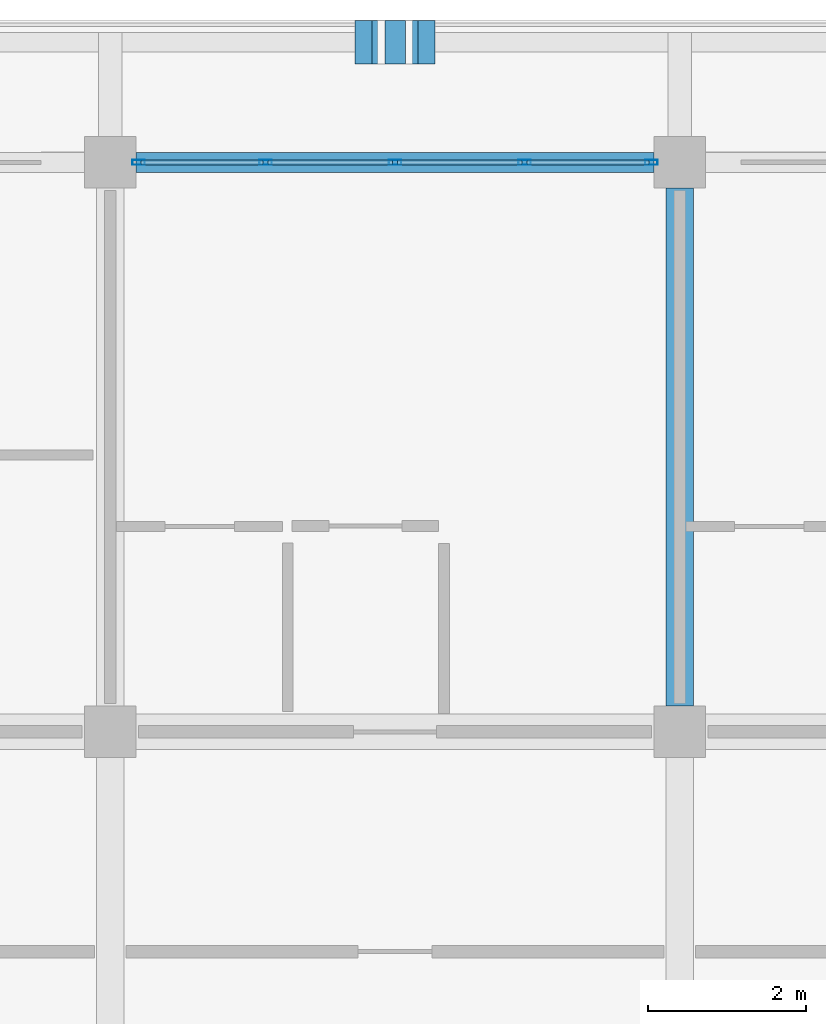
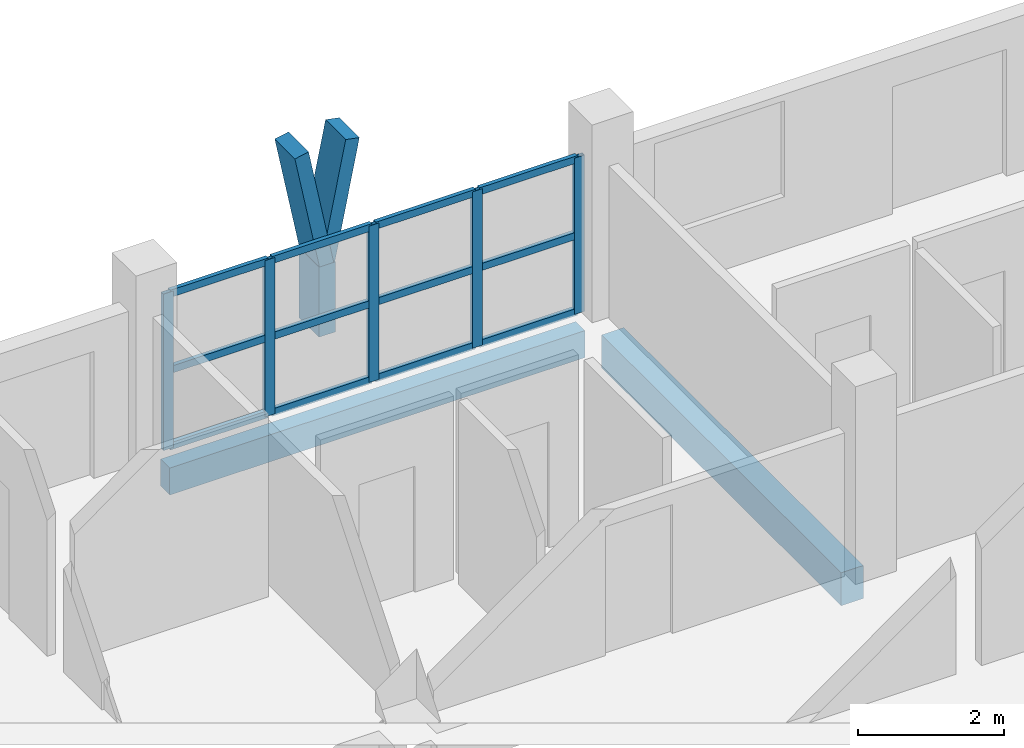
# One storey, part 20 of 75: 20 members, 2 beams, 1 element without a shape of its own.
"""IFC4 building model written with IfcOpenShell, lengths in metres."""

from ifc_helpers import new_model, si_unit, direction, frame, origin, origin_2d, place, context, subcontext, project, spatial, rectangle, hollow_rectangle, extrude, material, material_profile, profile_set, type_object, element, aggregate, save


model = new_model("IFC4")

# Units and contexts
model_context = context("Model", 3, precision=1e-05, world=origin(), true_north=direction((0.0, 1.0)))
body_context = subcontext(model_context, "Body", "Model", "MODEL_VIEW")
ifc_project = project(units=[si_unit("LENGTHUNIT", "METRE"), si_unit("AREAUNIT", "SQUARE_METRE"), si_unit("VOLUMEUNIT", "CUBIC_METRE"), si_unit("PLANEANGLEUNIT", "RADIAN"), si_unit("MASSUNIT", "GRAM", prefix="KILO")], contexts=[model_context])

# Site, building, storey
site_placement = place(None, origin())
site = spatial("IfcSite", under=ifc_project, at=site_placement, CompositionType="ELEMENT")
building_placement = place(site_placement, origin())
building = spatial("IfcBuilding", under=site, at=building_placement, Name="Suanplinth Sawtooth Commons", CompositionType="ELEMENT")
storey_placement = place(building_placement, frame((0.0, 0.0, 18.60009765625)))
storey = spatial("IfcBuildingStorey", under=building, at=storey_placement, Name="L05", CompositionType="ELEMENT", Elevation=18.60009765625)

# Beams
ifc_material_1 = material(Name="Precast concrete C40/50", Category="concrete")
ifc_material_profile_1 = material_profile(ifc_material_1, rectangle(XDim=0.35009765625, YDim=0.550048828125, at=origin_2d()), Name="PC-BM 350x550")
ifc_profile_set_1 = profile_set([ifc_material_profile_1], Name="Precast concrete C40/50")
beam_type_1 = type_object("IfcBeamType", Name="B-06", PredefinedType="BEAM", material=ifc_profile_set_1)
beam_1_placement = place(storey_placement, frame((86.39990234375, 115.52490234375, -0.525146484375), z_axis=(0.0, 1.0, 0.0), x_axis=(-1.0, 0.0, 0.0)))
element("IfcBeam", 1, at=beam_1_placement, inside=storey, type_object=beam_type_1, Name="BMY-L05-A-12-16", PredefinedType="BEAM", context=body_context, shape_type="SweptSolid", body=[
    extrude(rectangle(XDim=0.35009765625, YDim=0.550048828125, at=origin_2d()), origin(), (0.0, 0.0, 1.0), 6.550048828125),
])
ifc_material_profile_2 = material_profile(ifc_material_1, rectangle(XDim=0.25, YDim=0.449951171875, at=origin_2d()), Name="PC-SP 250x450")
ifc_profile_set_2 = profile_set([ifc_material_profile_2], Name="Precast concrete C40/50")
beam_type_2 = type_object("IfcBeamType", Name="B-09", PredefinedType="SPANDREL", material=ifc_profile_set_2)
beam_2_placement = place(storey_placement, frame((79.52490234375, 122.39990234375, -0.47509765625), z_axis=(1.0, 0.0, 0.0), x_axis=(0.0, 1.0, 0.0)))
element("IfcBeam", 2, at=beam_2_placement, inside=storey, type_object=beam_type_2, Name="BMX-L05-A-11-17", PredefinedType="SPANDREL", context=body_context, shape_type="SweptSolid", body=[
    extrude(rectangle(XDim=0.25, YDim=0.449951171875, at=origin_2d()), origin(), (0.0, 0.0, 1.0), 6.550048828125),
])

# Members
ifc_material_2 = material(Name="Pigmented precast concrete C40/50", Category="concrete")
ifc_material_profile_3 = material_profile(ifc_material_2, rectangle(XDim=0.260009765625, YDim=0.550048828125, at=origin_2d()), Name="PC-FIN 260x550")
ifc_profile_set_3 = profile_set([ifc_material_profile_3], Name="Pigmented precast concrete C40/50")
member_type_1 = type_object("IfcMemberType", Name="M-09", PredefinedType="USERDEFINED", material=ifc_profile_set_3)
member_1_placement = place(storey_placement, frame((82.800048828125, 123.919921875, 0.0), z_axis=(0.0, 0.0, 1.0), x_axis=(1.0, 0.0, 0.0)))
element("IfcMember", 3, at=member_1_placement, inside=storey, type_object=member_type_1, Name="Y-Blade Stem L05-A-N-04", ObjectType="SHADING FIN", PredefinedType="USERDEFINED", context=body_context, shape_type="SweptSolid", body=[
    extrude(rectangle(XDim=0.260009765625, YDim=0.550048828125, at=origin_2d()), origin(), (0.0, 0.0, 1.0), 1.169921875),
])
ifc_material_profile_4 = material_profile(ifc_material_2, rectangle(XDim=0.219970703125, YDim=0.550048828125, at=origin_2d()), Name="PC-FIN 220x550")
ifc_profile_set_4 = profile_set([ifc_material_profile_4], Name="Pigmented precast concrete C40/50")
member_type_2 = type_object("IfcMemberType", Name="M-10", PredefinedType="USERDEFINED", material=ifc_profile_set_4)
for number, where, z_axis, x_axis, name in (
    (4, (82.800048828125, 123.919921875, 1.1298828125), (-0.196530428008, 0.0, 0.98049772609), (0.98049772609, 0.0, 0.196530428008), "Y-Blade Arm L L05-A-N-04"),
    (5, (82.800048828125, 123.919921875, 1.1298828125), (0.196415357203, 0.0, 0.980520783795), (-0.980520783795, 0.0, 0.196415357203), "Y-Blade Arm R L05-A-N-04"),
):
    element("IfcMember", number, at=place(storey_placement, frame(where, z_axis=z_axis, x_axis=x_axis)), inside=storey, type_object=member_type_2, Name=name, ObjectType="SHADING FIN", PredefinedType="USERDEFINED", context=body_context, shape_type="SweptSolid", body=[
        extrude(rectangle(XDim=0.219970703125, YDim=0.550048828125, at=origin_2d()), origin(), (0.0, 0.0, 1.0), 2.039794921875),
    ])

# Curtain wall, members
ifc_material_3 = material(Name="Anodized aluminium and low-E glazing", Category="aluminium")
curtain_wall_type = type_object("IfcCurtainWallType", Name="CW-06", PredefinedType="USERDEFINED", material=ifc_material_3)
curtain_wall_placement = place(storey_placement, origin())
curtain_wall = element("IfcCurtainWall", 6, at=curtain_wall_placement, inside=storey, type_object=curtain_wall_type, Name="Curtain Wall CW-L05-A-LOUNGE-11", ObjectType="CURTAIN WALL", PredefinedType="USERDEFINED")
ifc_material_4 = material(Name="Anodized aluminium 6063-T6", Category="aluminium")
ifc_material_profile_5 = material_profile(ifc_material_4, hollow_rectangle(XDim=0.06494140625, YDim=0.159912109375, WallThickness=0.00390625, at=origin_2d()), Name="ALU-MUL 65x160")
ifc_profile_set_5 = profile_set([ifc_material_profile_5], Name="Anodized aluminium 6063-T6")
member_type_3 = type_object("IfcMemberType", Name="M-13", PredefinedType="MULLION", material=ifc_profile_set_5)
member_2_placement = place(storey_placement, frame((79.5576171875, 122.39990234375, 0.0), z_axis=(0.0, 0.0, 1.0), x_axis=(0.0, 1.0, 0.0)))
member_2 = element("IfcMember", 7, at=member_2_placement, type_object=member_type_3, Name="CW-06 mullion 1", PredefinedType="MULLION", context=body_context, shape_type="SweptSolid", body=[
    extrude(hollow_rectangle(XDim=0.06494140625, YDim=0.159912109375, WallThickness=0.00390625, at=origin_2d()), origin(), (0.0, 0.0, 1.0), 2.60986328125),
])
member_3_placement = place(storey_placement, frame((81.16259765625, 122.39990234375, 0.0), z_axis=(0.0, 0.0, 1.0), x_axis=(0.0, 1.0, 0.0)))
member_3 = element("IfcMember", 8, at=member_3_placement, type_object=member_type_3, Name="CW-06 mullion 2", PredefinedType="MULLION", context=body_context, shape_type="SweptSolid", body=[
    extrude(hollow_rectangle(XDim=0.06494140625, YDim=0.159912109375, WallThickness=0.00390625, at=origin_2d()), origin(), (0.0, 0.0, 1.0), 2.60986328125),
])
member_4_placement = place(storey_placement, frame((82.800048828125, 122.39990234375, 0.0), z_axis=(0.0, 0.0, 1.0), x_axis=(0.0, 1.0, 0.0)))
member_4 = element("IfcMember", 9, at=member_4_placement, type_object=member_type_3, Name="CW-06 mullion 3", PredefinedType="MULLION", context=body_context, shape_type="SweptSolid", body=[
    extrude(hollow_rectangle(XDim=0.06494140625, YDim=0.159912109375, WallThickness=0.00390625, at=origin_2d()), origin(), (0.0, 0.0, 1.0), 2.60986328125),
])
member_5_placement = place(storey_placement, frame((84.4375, 122.39990234375, 0.0), z_axis=(0.0, 0.0, 1.0), x_axis=(0.0, 1.0, 0.0)))
member_5 = element("IfcMember", 10, at=member_5_placement, type_object=member_type_3, Name="CW-06 mullion 4", PredefinedType="MULLION", context=body_context, shape_type="SweptSolid", body=[
    extrude(hollow_rectangle(XDim=0.06494140625, YDim=0.159912109375, WallThickness=0.00390625, at=origin_2d()), origin(), (0.0, 0.0, 1.0), 2.60986328125),
])
member_6_placement = place(storey_placement, frame((86.04248046875, 122.39990234375, 0.0), z_axis=(0.0, 0.0, 1.0), x_axis=(0.0, 1.0, 0.0)))
member_6 = element("IfcMember", 11, at=member_6_placement, type_object=member_type_3, Name="CW-06 mullion 5", PredefinedType="MULLION", context=body_context, shape_type="SweptSolid", body=[
    extrude(hollow_rectangle(XDim=0.06494140625, YDim=0.159912109375, WallThickness=0.00390625, at=origin_2d()), origin(), (0.0, 0.0, 1.0), 2.60986328125),
])
ifc_material_profile_6 = material_profile(ifc_material_4, hollow_rectangle(XDim=0.06494140625, YDim=0.1201171875, WallThickness=0.00390625, at=origin_2d()), Name="ALU-TRN 65x120")
ifc_profile_set_6 = profile_set([ifc_material_profile_6], Name="Anodized aluminium 6063-T6")
member_type_4 = type_object("IfcMemberType", Name="M-15", PredefinedType="USERDEFINED", material=ifc_profile_set_6)
member_7_placement = place(storey_placement, frame((79.590087890625, 122.39990234375, 0.032470703125), z_axis=(1.0, 0.0, 0.0), x_axis=(0.0, 1.0, 0.0)))
member_7 = element("IfcMember", 12, at=member_7_placement, type_object=member_type_4, Name="CW-06 transom 1.1", ObjectType="TRANSOM", PredefinedType="USERDEFINED", context=body_context, shape_type="SweptSolid", body=[
    extrude(hollow_rectangle(XDim=0.06494140625, YDim=0.1201171875, WallThickness=0.00390625, at=origin_2d()), origin(), (0.0, 0.0, 1.0), 1.539794921875),
])
member_8_placement = place(storey_placement, frame((79.590087890625, 122.39990234375, 1.304931640625), z_axis=(1.0, 0.0, 0.0), x_axis=(0.0, 1.0, 0.0)))
member_8 = element("IfcMember", 13, at=member_8_placement, type_object=member_type_4, Name="CW-06 transom 1.2", ObjectType="TRANSOM", PredefinedType="USERDEFINED", context=body_context, shape_type="SweptSolid", body=[
    extrude(hollow_rectangle(XDim=0.06494140625, YDim=0.1201171875, WallThickness=0.00390625, at=origin_2d()), origin(), (0.0, 0.0, 1.0), 1.539794921875),
])
member_9_placement = place(storey_placement, frame((79.590087890625, 122.39990234375, 2.577392578125), z_axis=(1.0, 0.0, 0.0), x_axis=(0.0, 1.0, 0.0)))
member_9 = element("IfcMember", 14, at=member_9_placement, type_object=member_type_4, Name="CW-06 transom 1.3", ObjectType="TRANSOM", PredefinedType="USERDEFINED", context=body_context, shape_type="SweptSolid", body=[
    extrude(hollow_rectangle(XDim=0.06494140625, YDim=0.1201171875, WallThickness=0.00390625, at=origin_2d()), origin(), (0.0, 0.0, 1.0), 1.539794921875),
])
member_10_placement = place(storey_placement, frame((81.195068359375, 122.39990234375, 0.032470703125), z_axis=(1.0, 0.0, 0.0), x_axis=(0.0, 1.0, 0.0)))
member_10 = element("IfcMember", 15, at=member_10_placement, type_object=member_type_4, Name="CW-06 transom 2.1", ObjectType="TRANSOM", PredefinedType="USERDEFINED", context=body_context, shape_type="SweptSolid", body=[
    extrude(hollow_rectangle(XDim=0.06494140625, YDim=0.1201171875, WallThickness=0.00390625, at=origin_2d()), origin(), (0.0, 0.0, 1.0), 1.572509765625),
])
member_11_placement = place(storey_placement, frame((81.195068359375, 122.39990234375, 1.304931640625), z_axis=(1.0, 0.0, 0.0), x_axis=(0.0, 1.0, 0.0)))
member_11 = element("IfcMember", 16, at=member_11_placement, type_object=member_type_4, Name="CW-06 transom 2.2", ObjectType="TRANSOM", PredefinedType="USERDEFINED", context=body_context, shape_type="SweptSolid", body=[
    extrude(hollow_rectangle(XDim=0.06494140625, YDim=0.1201171875, WallThickness=0.00390625, at=origin_2d()), origin(), (0.0, 0.0, 1.0), 1.572509765625),
])
member_12_placement = place(storey_placement, frame((81.195068359375, 122.39990234375, 2.577392578125), z_axis=(1.0, 0.0, 0.0), x_axis=(0.0, 1.0, 0.0)))
member_12 = element("IfcMember", 17, at=member_12_placement, type_object=member_type_4, Name="CW-06 transom 2.3", ObjectType="TRANSOM", PredefinedType="USERDEFINED", context=body_context, shape_type="SweptSolid", body=[
    extrude(hollow_rectangle(XDim=0.06494140625, YDim=0.1201171875, WallThickness=0.00390625, at=origin_2d()), origin(), (0.0, 0.0, 1.0), 1.572509765625),
])
member_13_placement = place(storey_placement, frame((82.83251953125, 122.39990234375, 0.032470703125), z_axis=(1.0, 0.0, 0.0), x_axis=(0.0, 1.0, 0.0)))
member_13 = element("IfcMember", 18, at=member_13_placement, type_object=member_type_4, Name="CW-06 transom 3.1", ObjectType="TRANSOM", PredefinedType="USERDEFINED", context=body_context, shape_type="SweptSolid", body=[
    extrude(hollow_rectangle(XDim=0.06494140625, YDim=0.1201171875, WallThickness=0.00390625, at=origin_2d()), origin(), (0.0, 0.0, 1.0), 1.572509765625),
])
member_14_placement = place(storey_placement, frame((82.83251953125, 122.39990234375, 1.304931640625), z_axis=(1.0, 0.0, 0.0), x_axis=(0.0, 1.0, 0.0)))
member_14 = element("IfcMember", 19, at=member_14_placement, type_object=member_type_4, Name="CW-06 transom 3.2", ObjectType="TRANSOM", PredefinedType="USERDEFINED", context=body_context, shape_type="SweptSolid", body=[
    extrude(hollow_rectangle(XDim=0.06494140625, YDim=0.1201171875, WallThickness=0.00390625, at=origin_2d()), origin(), (0.0, 0.0, 1.0), 1.572509765625),
])
member_15_placement = place(storey_placement, frame((82.83251953125, 122.39990234375, 2.577392578125), z_axis=(1.0, 0.0, 0.0), x_axis=(0.0, 1.0, 0.0)))
member_15 = element("IfcMember", 20, at=member_15_placement, type_object=member_type_4, Name="CW-06 transom 3.3", ObjectType="TRANSOM", PredefinedType="USERDEFINED", context=body_context, shape_type="SweptSolid", body=[
    extrude(hollow_rectangle(XDim=0.06494140625, YDim=0.1201171875, WallThickness=0.00390625, at=origin_2d()), origin(), (0.0, 0.0, 1.0), 1.572509765625),
])
member_16_placement = place(storey_placement, frame((84.469970703125, 122.39990234375, 0.032470703125), z_axis=(1.0, 0.0, 0.0), x_axis=(0.0, 1.0, 0.0)))
member_16 = element("IfcMember", 21, at=member_16_placement, type_object=member_type_4, Name="CW-06 transom 4.1", ObjectType="TRANSOM", PredefinedType="USERDEFINED", context=body_context, shape_type="SweptSolid", body=[
    extrude(hollow_rectangle(XDim=0.06494140625, YDim=0.1201171875, WallThickness=0.00390625, at=origin_2d()), origin(), (0.0, 0.0, 1.0), 1.5400390625),
])
member_17_placement = place(storey_placement, frame((84.469970703125, 122.39990234375, 1.304931640625), z_axis=(1.0, 0.0, 0.0), x_axis=(0.0, 1.0, 0.0)))
member_17 = element("IfcMember", 22, at=member_17_placement, type_object=member_type_4, Name="CW-06 transom 4.2", ObjectType="TRANSOM", PredefinedType="USERDEFINED", context=body_context, shape_type="SweptSolid", body=[
    extrude(hollow_rectangle(XDim=0.06494140625, YDim=0.1201171875, WallThickness=0.00390625, at=origin_2d()), origin(), (0.0, 0.0, 1.0), 1.5400390625),
])
member_18_placement = place(storey_placement, frame((84.469970703125, 122.39990234375, 2.577392578125), z_axis=(1.0, 0.0, 0.0), x_axis=(0.0, 1.0, 0.0)))
member_18 = element("IfcMember", 23, at=member_18_placement, type_object=member_type_4, Name="CW-06 transom 4.3", ObjectType="TRANSOM", PredefinedType="USERDEFINED", context=body_context, shape_type="SweptSolid", body=[
    extrude(hollow_rectangle(XDim=0.06494140625, YDim=0.1201171875, WallThickness=0.00390625, at=origin_2d()), origin(), (0.0, 0.0, 1.0), 1.5400390625),
])
aggregate(curtain_wall, [member_2, member_3, member_4, member_5, member_6, member_7, member_8, member_9, member_10, member_11, member_12, member_13, member_14, member_15, member_16, member_17, member_18])

save(model, "model.ifc")
